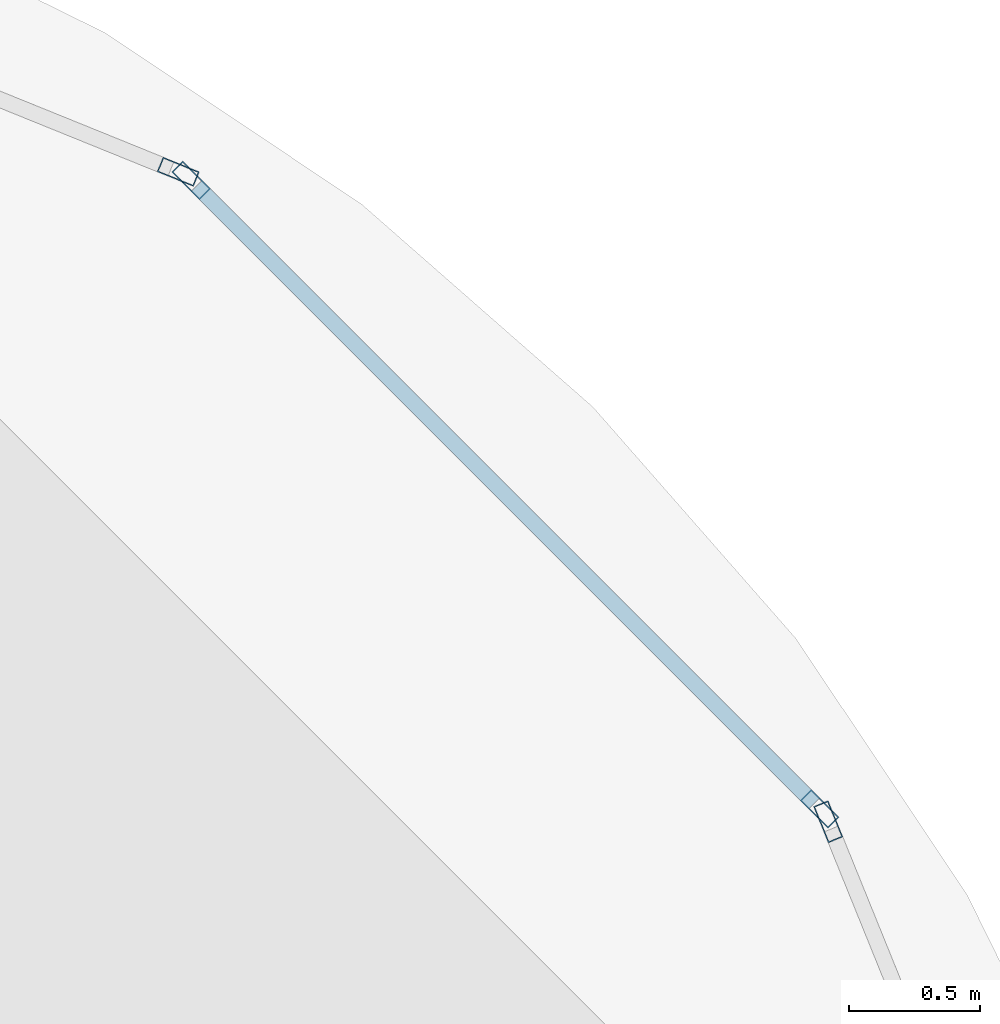
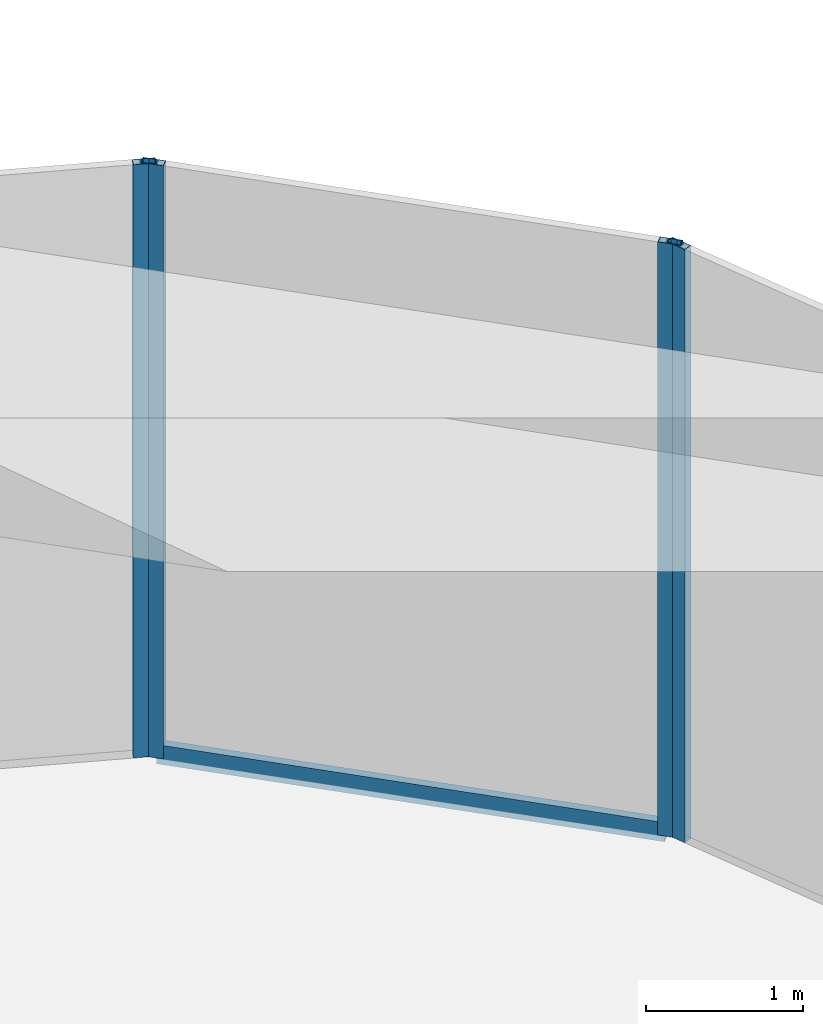
# One storey, part 28 of 32: 5 members, 3 elements without a shape of their own.
"""IFC4 building model written with IfcOpenShell, lengths in metres."""

from ifc_helpers import new_model, si_unit, direction, frame, origin, origin_2d, place, context, subcontext, project, spatial, hollow_rectangle, extrude, material, material_profile, profile_set, type_object, element, aggregate, save


model = new_model("IFC4")

# Units and contexts
model_context = context("Model", 3, precision=1e-05, world=origin(), true_north=direction((0.0, 1.0)))
body_context = subcontext(model_context, "Body", "Model", "MODEL_VIEW")
ifc_project = project(units=[si_unit("LENGTHUNIT", "METRE"), si_unit("AREAUNIT", "SQUARE_METRE"), si_unit("VOLUMEUNIT", "CUBIC_METRE"), si_unit("PLANEANGLEUNIT", "RADIAN"), si_unit("MASSUNIT", "GRAM", prefix="KILO")], contexts=[model_context])

# Site, building, storey
site_placement = place(None, origin())
site = spatial("IfcSite", under=ifc_project, at=site_placement, CompositionType="ELEMENT")
building_placement = place(site_placement, origin())
building = spatial("IfcBuilding", under=site, at=building_placement, Name="Zorevar Civic Tower", CompositionType="ELEMENT")
storey_placement = place(building_placement, frame((0.0, 0.0, 234.39990234375)))
storey = spatial("IfcBuildingStorey", under=building, at=storey_placement, Name="L57", CompositionType="ELEMENT", Elevation=234.39990234375)

# Curtain wall, member
ifc_material_1 = material(Name="Black aluminium louvres", Category="aluminium")
curtain_wall_type = type_object("IfcCurtainWallType", Name="Louvred curtain wall CW6 refuge", PredefinedType="NOTDEFINED", material=ifc_material_1)
curtain_wall_1_placement = place(storey_placement, origin())
curtain_wall_1 = element("IfcCurtainWall", 1, at=curtain_wall_1_placement, inside=storey, type_object=curtain_wall_type, Name="CW6 L57", PredefinedType="NOTDEFINED")
ifc_material_2 = material(Name="Aluminium, black anodised", Category="aluminium")
ifc_material_profile_1 = material_profile(ifc_material_2, hollow_rectangle(XDim=0.06005859375, YDim=0.14990234375, WallThickness=0.00390625, at=origin_2d()), Name="AL 150x60x4")
ifc_profile_set_1 = profile_set([ifc_material_profile_1], Name="Aluminium, black anodised")
member_type_1 = type_object("IfcMemberType", Name="CW6 mullion AL 150x60x4", PredefinedType="MULLION", material=ifc_profile_set_1)
member_1_placement = place(storey_placement, frame((52.263427734375, 40.778076171875, 0.0), z_axis=(0.0, 0.0, 1.0), x_axis=(-0.926761540227, -0.375650166453, 0.0)))
member_1 = element("IfcMember", 2, at=member_1_placement, type_object=member_type_1, Name="CW6 mullion 2", PredefinedType="MULLION", context=body_context, shape_type="SweptSolid", body=[
    extrude(hollow_rectangle(XDim=0.06005859375, YDim=0.14990234375, WallThickness=0.00390625, at=origin_2d()), origin(), (0.0, 0.0, 1.0), 4.60009765625),
])
aggregate(curtain_wall_1, [member_1])

# Curtain wall, members
curtain_wall_2_placement = place(storey_placement, origin())
curtain_wall_2 = element("IfcCurtainWall", 3, at=curtain_wall_2_placement, inside=storey, type_object=curtain_wall_type, Name="CW6 L57", PredefinedType="NOTDEFINED")
member_2_placement = place(storey_placement, frame((52.23095703125, 40.8271484375, 0.0), z_axis=(0.0, 0.0, 1.0), x_axis=(-0.707106781187, -0.707106781187, 0.0)))
member_2 = element("IfcMember", 4, at=member_2_placement, type_object=member_type_1, Name="CW6 mullion 1", PredefinedType="MULLION", context=body_context, shape_type="SweptSolid", body=[
    extrude(hollow_rectangle(XDim=0.06005859375, YDim=0.14990234375, WallThickness=0.00390625, at=origin_2d()), origin(), (0.0, 0.0, 1.0), 4.60009765625),
])
member_3_placement = place(storey_placement, frame((49.8271484375, 43.23095703125, 0.0), z_axis=(0.0, 0.0, 1.0), x_axis=(-0.707106781187, -0.707106781187, 0.0)))
member_3 = element("IfcMember", 5, at=member_3_placement, type_object=member_type_1, Name="CW6 mullion 2", PredefinedType="MULLION", context=body_context, shape_type="SweptSolid", body=[
    extrude(hollow_rectangle(XDim=0.06005859375, YDim=0.14990234375, WallThickness=0.00390625, at=origin_2d()), origin(), (0.0, 0.0, 1.0), 4.60009765625),
])

# Curtain wall, member
curtain_wall_3_placement = place(storey_placement, origin())
curtain_wall_3 = element("IfcCurtainWall", 6, at=curtain_wall_3_placement, inside=storey, type_object=curtain_wall_type, Name="CW6 L57", PredefinedType="NOTDEFINED")
member_4_placement = place(storey_placement, frame((49.778076171875, 43.263427734375, 0.0), z_axis=(0.0, 0.0, 1.0), x_axis=(-0.375650166453, -0.926761540227, 0.0)))
member_4 = element("IfcMember", 7, at=member_4_placement, type_object=member_type_1, Name="CW6 mullion 1", PredefinedType="MULLION", context=body_context, shape_type="SweptSolid", body=[
    extrude(hollow_rectangle(XDim=0.06005859375, YDim=0.14990234375, WallThickness=0.00390625, at=origin_2d()), origin(), (0.0, 0.0, 1.0), 4.60009765625),
])
aggregate(curtain_wall_3, [member_4])

# Member
ifc_material_3 = material(Name="Aluminium, black anodised", Category="aluminium")
ifc_material_profile_2 = material_profile(ifc_material_3, hollow_rectangle(XDim=0.06005859375, YDim=0.14990234375, WallThickness=0.00390625, at=origin_2d()), Name="AL 150x60x4")
ifc_profile_set_2 = profile_set([ifc_material_profile_2], Name="Aluminium, black anodised")
member_type_2 = type_object("IfcMemberType", Name="CW6 transom AL 150x60x4", PredefinedType="USERDEFINED", material=ifc_profile_set_2)
member_5_placement = place(storey_placement, frame((52.209716796875, 40.848388671875, 0.030029296875), z_axis=(-0.707106781187, 0.707106781187, 0.0), x_axis=(-0.707106781187, -0.707106781187, 0.0)))
member_5 = element("IfcMember", 8, at=member_5_placement, type_object=member_type_2, Name="CW6 sill transom", ObjectType="TRANSOM", PredefinedType="USERDEFINED", context=body_context, shape_type="SweptSolid", body=[
    extrude(hollow_rectangle(XDim=0.06005859375, YDim=0.14990234375, WallThickness=0.00390625, at=origin_2d()), origin(), (0.0, 0.0, 1.0), 3.33935546875),
])

aggregate(curtain_wall_2, [member_2, member_3, member_5])

save(model, "model.ifc")
